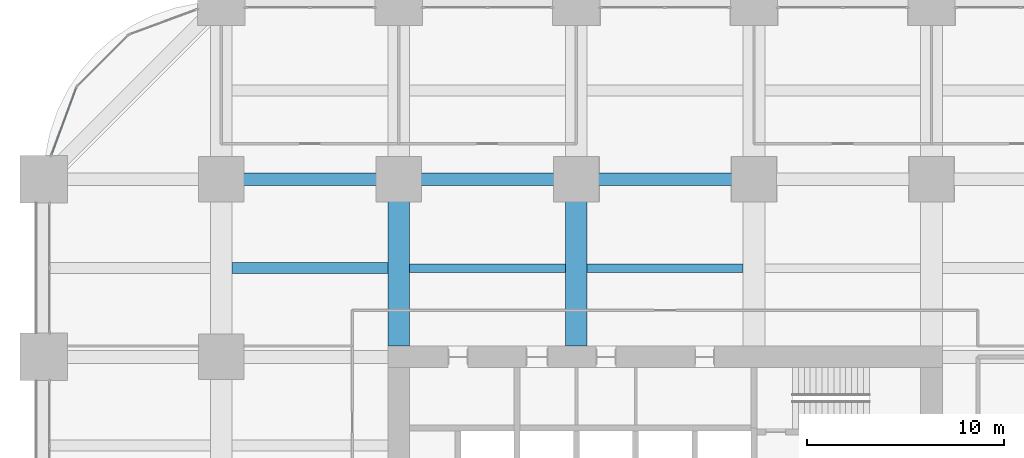
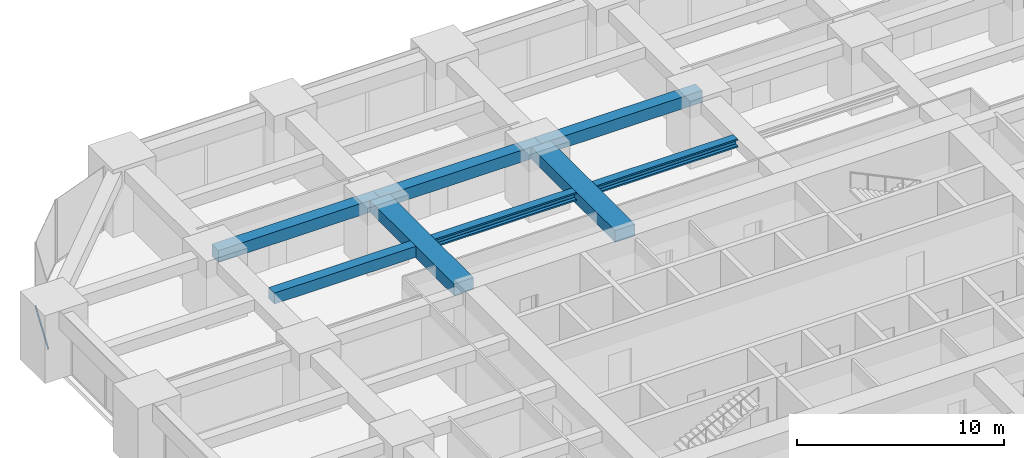
# One storey, part 26 of 45: 8 beams, 1 member, 1 element without a shape of its own.
"""IFC4 building model written with IfcOpenShell, lengths in metres."""

from ifc_helpers import new_model, si_unit, direction, frame, origin, origin_2d, place, context, subcontext, project, spatial, rectangle, hollow_rectangle, i_section, extrude, material, material_profile, profile_set, type_object, element, aggregate, save


model = new_model("IFC4")

# Units and contexts
model_context = context("Model", 3, precision=1e-05, world=origin(), true_north=direction((0.0, 1.0)))
body_context = subcontext(model_context, "Body", "Model", "MODEL_VIEW")
ifc_project = project(units=[si_unit("LENGTHUNIT", "METRE"), si_unit("AREAUNIT", "SQUARE_METRE"), si_unit("VOLUMEUNIT", "CUBIC_METRE"), si_unit("PLANEANGLEUNIT", "RADIAN"), si_unit("MASSUNIT", "GRAM", prefix="KILO")], contexts=[model_context])

# Site, building, storey
site_placement = place(None, origin())
site = spatial("IfcSite", under=ifc_project, at=site_placement, CompositionType="ELEMENT")
building_placement = place(site_placement, origin())
building = spatial("IfcBuilding", under=site, at=building_placement, Name="Zorevar Civic Tower", CompositionType="ELEMENT")
storey_placement = place(building_placement, frame((0.0, 0.0, 23.800048828125)))
storey = spatial("IfcBuildingStorey", under=building, at=storey_placement, Name="L05", CompositionType="ELEMENT", Elevation=23.800048828125)

# Beams
ifc_material_1 = material(Name="Concrete C50/60", Category="concrete")
ifc_material_profile_1 = material_profile(ifc_material_1, rectangle(XDim=1.10009765625, YDim=0.699951171875, at=origin_2d()), Name="RC 1100x700")
ifc_profile_set_1 = profile_set([ifc_material_profile_1], Name="Concrete C50/60")
beam_type_1 = type_object("IfcBeamType", Name="Beam RC 1100x700", PredefinedType="BEAM", material=ifc_profile_set_1)
for number, where, z_axis, x_axis, name in (
    (1, (18.0, 36.550048828125, 3.39990234375), (0.0, 1.0, 0.0), (-1.0, 0.0, 0.0), "Girder L06"),
    (2, (27.0, 36.550048828125, 3.39990234375), (0.0, 1.0, 0.0), (-1.0, 0.0, 0.0), "Girder L06"),
):
    element("IfcBeam", number, at=place(storey_placement, frame(where, z_axis=z_axis, x_axis=x_axis)), inside=storey, type_object=beam_type_1, Name=name, PredefinedType="BEAM", context=body_context, shape_type="SweptSolid", body=[
        extrude(rectangle(XDim=1.10009765625, YDim=0.699951171875, at=origin_2d()), origin(), (0.0, 0.0, 1.0), 8.449951171875),
    ])
ifc_material_2 = material(Name="Concrete C50/60", Category="concrete")
ifc_material_profile_2 = material_profile(ifc_material_2, rectangle(XDim=0.550048828125, YDim=0.64990234375, at=origin_2d()), Name="RC 550x650")
ifc_profile_set_2 = profile_set([ifc_material_profile_2], Name="Concrete C50/60")
beam_type_2 = type_object("IfcBeamType", Name="Beam RC 550x650", PredefinedType="BEAM", material=ifc_profile_set_2)
beam_placement = place(storey_placement, frame((9.550048828125, 40.5, 3.425048828125), z_axis=(1.0, 0.0, 0.0), x_axis=(0.0, 1.0, 0.0)))
element("IfcBeam", 3, at=beam_placement, inside=storey, type_object=beam_type_2, Name="Secondary beam L06", PredefinedType="BEAM", context=body_context, shape_type="SweptSolid", body=[
    extrude(rectangle(XDim=0.550048828125, YDim=0.64990234375, at=origin_2d()), origin(), (0.0, 0.0, 1.0), 7.89990234375),
])
ifc_material_3 = material(Name="Concrete C50/60", Category="concrete")
ifc_material_profile_3 = material_profile(ifc_material_3, rectangle(XDim=0.64990234375, YDim=0.699951171875, at=origin_2d()), Name="RC 650x700")
ifc_profile_set_3 = profile_set([ifc_material_profile_3], Name="Concrete C50/60")
beam_type_3 = type_object("IfcBeamType", Name="Beam RC 650x700", PredefinedType="BEAM", material=ifc_profile_set_3)
for number, where, z_axis, x_axis, name in (
    (4, (9.0, 45.0, 3.39990234375), (1.0, 0.0, 0.0), (0.0, 1.0, 0.0), "Girder L06"),
    (5, (18.0, 45.0, 3.39990234375), (1.0, 0.0, 0.0), (0.0, 1.0, 0.0), "Girder L06"),
    (6, (27.0, 45.0, 3.39990234375), (1.0, 0.0, 0.0), (0.0, 1.0, 0.0), "Girder L06"),
):
    element("IfcBeam", number, at=place(storey_placement, frame(where, z_axis=z_axis, x_axis=x_axis)), inside=storey, type_object=beam_type_3, Name=name, PredefinedType="BEAM", context=body_context, shape_type="SweptSolid", body=[
        extrude(rectangle(XDim=0.64990234375, YDim=0.699951171875, at=origin_2d()), origin(), (0.0, 0.0, 1.0), 9.0),
    ])

# Curtain wall, member
ifc_material_4 = material(Name="Dark grey solar-control glass in black aluminium frame", Category="aluminium")
curtain_wall_type = type_object("IfcCurtainWallType", Name="Curtain wall CW2 low zone", PredefinedType="NOTDEFINED", material=ifc_material_4)
curtain_wall_placement = place(storey_placement, origin())
curtain_wall = element("IfcCurtainWall", 7, at=curtain_wall_placement, inside=storey, type_object=curtain_wall_type, Name="CW2 L05", PredefinedType="NOTDEFINED")
ifc_material_5 = material(Name="Aluminium, black anodised", Category="aluminium")
ifc_material_profile_4 = material_profile(ifc_material_5, hollow_rectangle(XDim=0.06005859375, YDim=0.14990234375, WallThickness=0.00390625, at=origin_2d()), Name="AL 150x60x4")
ifc_profile_set_4 = profile_set([ifc_material_profile_4], Name="Aluminium, black anodised")
member_type = type_object("IfcMemberType", Name="CW2 transom AL 150x60x4", PredefinedType="USERDEFINED", material=ifc_profile_set_4)
member_placement = place(storey_placement, frame((1.6533203125, 49.636474609375, 0.030029296875), z_axis=(-0.346672169799, -0.93798635741, 0.0), x_axis=(0.93798635741, -0.346672169799, 0.0)))
member = element("IfcMember", 8, at=member_placement, type_object=member_type, Name="CW2 sill transom", ObjectType="TRANSOM", PredefinedType="USERDEFINED", context=body_context, shape_type="SweptSolid", body=[
    extrude(hollow_rectangle(XDim=0.06005859375, YDim=0.14990234375, WallThickness=0.00390625, at=origin_2d()), origin(), (0.0, 0.0, 1.0), 3.603515625),
])
aggregate(curtain_wall, [member])

# Beams
ifc_material_6 = material(Name="Steel S460M (HISTAR 460)", Category="steel")
ifc_material_profile_5 = material_profile(ifc_material_6, i_section(OverallWidth=0.431884765625, OverallDepth=0.498046875, WebThickness=0.0556640625, FlangeThickness=0.0888671875, FilletRadius=0.014892578125, at=origin_2d()), Name="HD 400x744")
ifc_profile_set_5 = profile_set([ifc_material_profile_5], Name="Steel S460M (HISTAR 460)")
beam_type_4 = type_object("IfcBeamType", Name="Core bay beam HD 400x744", PredefinedType="BEAM", material=ifc_profile_set_5)
for number, where, z_axis, x_axis, name in (
    (9, (18.550048828125, 40.5, 3.5009765625), (1.0, 0.0, 0.0), (0.0, 1.0, 0.0), "Secondary beam L06"),
    (10, (27.550048828125, 40.5, 3.5009765625), (1.0, 0.0, 0.0), (0.0, 1.0, 0.0), "Secondary beam L06"),
):
    element("IfcBeam", number, at=place(storey_placement, frame(where, z_axis=z_axis, x_axis=x_axis)), inside=storey, type_object=beam_type_4, Name=name, PredefinedType="BEAM", context=body_context, shape_type="SweptSolid", body=[
        extrude(i_section(OverallWidth=0.431884765625, OverallDepth=0.498046875, WebThickness=0.0556640625, FlangeThickness=0.0888671875, FilletRadius=0.014892578125, at=origin_2d()), origin(), (0.0, 0.0, 1.0), 7.89990234375),
    ])

save(model, "model.ifc")
